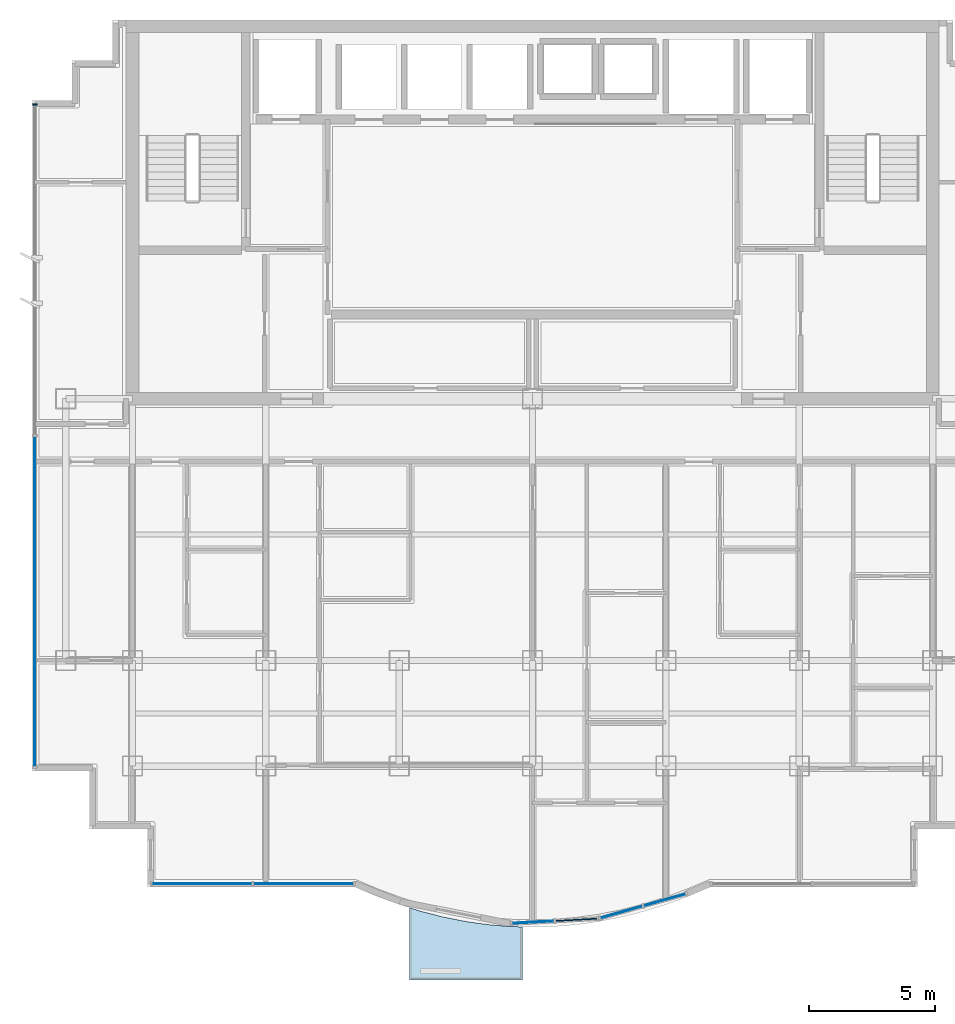
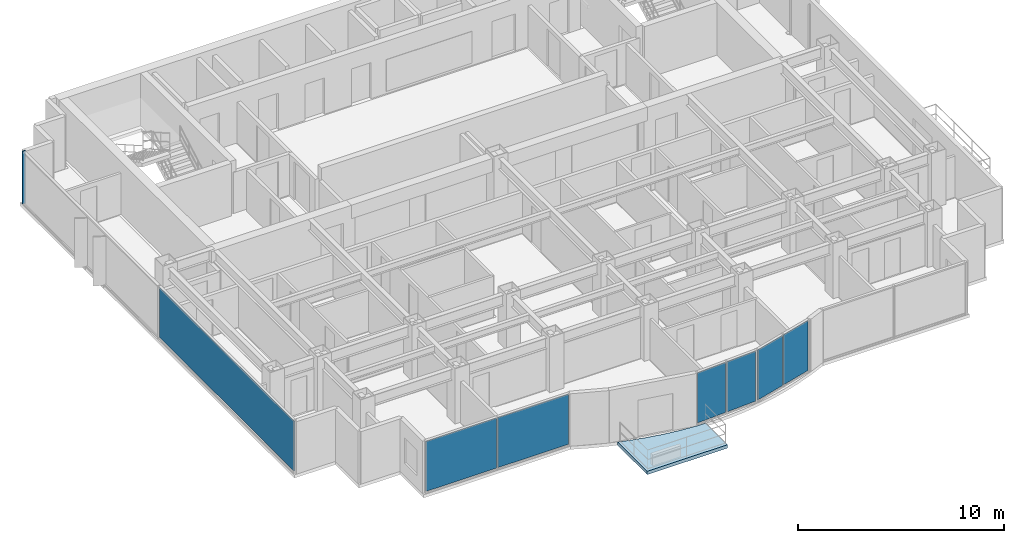
# One storey, part 5 of 11: 7 plates, 1 member, 1 slab, 4 elements without a shape of their own.
"""IFC4 building model written with IfcOpenShell, lengths in metres."""

from ifc_helpers import new_model, si_unit, direction, frame, origin, origin_2d, place, context, subcontext, project, spatial, polyline, rectangle, outline, extrude, source, transform, mapped, material, layer, layer_set, material_profile, profile_set, type_object, element, aggregate, save


model = new_model("IFC4")

# Units and contexts
model_context = context("Model", 3, precision=1e-05, world=origin(), true_north=direction((0.0, 1.0)))
body_context = subcontext(model_context, "Body", "Model", "MODEL_VIEW")
ifc_project = project(units=[si_unit("LENGTHUNIT", "METRE"), si_unit("AREAUNIT", "SQUARE_METRE"), si_unit("VOLUMEUNIT", "CUBIC_METRE"), si_unit("PLANEANGLEUNIT", "RADIAN"), si_unit("MASSUNIT", "GRAM", prefix="KILO")], contexts=[model_context])

# Site, building, storey
site_placement = place(None, origin())
site = spatial("IfcSite", under=ifc_project, at=site_placement, CompositionType="ELEMENT")
building_placement = place(site_placement, origin())
building = spatial("IfcBuilding", under=site, at=building_placement, Name="Qianlan Lanfeng Residences", CompositionType="ELEMENT")
storey_placement = place(building_placement, frame((0.0, 0.0, 206.60009765625)))
storey = spatial("IfcBuildingStorey", under=building, at=storey_placement, Name="L56", CompositionType="ELEMENT", Elevation=206.60009765625)

# Curtain wall, member
ifc_material_1 = material(Name="Anodised Bronze Aluminium 6063-T6", Category="aluminium")
ifc_layer_1 = layer(ifc_material_1, 0.219970703125)
ifc_layer_set_1 = layer_set([ifc_layer_1], Name="Anodised Bronze Aluminium 6063-T6")
curtain_wall_type = type_object("IfcCurtainWallType", Name="CW-05", PredefinedType="NOTDEFINED", material=ifc_layer_set_1)
curtain_wall_1_placement = place(storey_placement, origin())
curtain_wall_1 = element("IfcCurtainWall", 1, at=curtain_wall_1_placement, inside=storey, type_object=curtain_wall_type, Name="L56 Unitised Curtain Wall CWR-L56-05 (CW-05)", PredefinedType="NOTDEFINED")
ifc_material_profile = material_profile(ifc_material_1, rectangle(XDim=0.074951171875, YDim=0.179931640625, at=origin_2d()), Name="ALU MULLION 75x180")
ifc_profile_set = profile_set([ifc_material_profile], Name="Anodised Bronze Aluminium 6063-T6")
member_type = type_object("IfcMemberType", Name="CWM-180", PredefinedType="MULLION", material=ifc_profile_set)
shared_shape_1 = source(origin(), body_context, "Body", "SweptSolid", [
    extrude(rectangle(XDim=0.074951171875, YDim=0.179931640625, at=origin_2d()), origin(), (0.0, 0.0, 1.0), 3.10986328125),
])
member_placement = place(storey_placement, frame((6.719970703125, 36.892578125, 0.0), z_axis=(0.0, 0.0, 1.0), x_axis=(0.0, -1.0, 0.0)))
member = element("IfcMember", 2, at=member_placement, type_object=member_type, Name="CWR-L56-05 Mullion 1", PredefinedType="MULLION", context=body_context, shape_type="MappedRepresentation", body=[
    mapped(shared_shape_1, transform((0.0, 0.0, 0.0), scale=1.0)),
])

# Slab
ifc_material_2 = material(Name="Concrete C42", Category="concrete")
ifc_layer_2 = layer(ifc_material_2, 0.199951171875)
ifc_layer_set_2 = layer_set([ifc_layer_2], Name="Concrete C42")
slab_type = type_object("IfcSlabType", Name="S-BAL-200", PredefinedType="FLOOR", material=ifc_layer_set_2)
slab_placement = place(storey_placement, frame((0.0, 0.0, -0.2001953125)))
element("IfcSlab", 3, at=slab_placement, inside=storey, type_object=slab_type, Name="L56 Planted Tree Balcony Slab SB-C", PredefinedType="FLOOR", context=body_context, shape_type="SweptSolid", body=[
    extrude(outline(polyline([(26.10009765625, 4.2109375), (25.614990234375, 4.22509765625), (24.72998046875, 4.300048828125), (23.844970703125, 4.425048828125), (22.9599609375, 4.60009765625), (22.074951171875, 4.824951171875), (21.60009765625, 4.972900390625), (21.60009765625, 2.10009765625), (26.10009765625, 2.10009765625), (26.10009765625, 4.2109375)])), origin(), (0.0, 0.0, 1.0), 0.2001953125),
])

# Curtain wall, plates
curtain_wall_2_placement = place(storey_placement, origin())
curtain_wall_2 = element("IfcCurtainWall", 4, at=curtain_wall_2_placement, inside=storey, type_object=curtain_wall_type, Name="L56 Unitised Curtain Wall CWR-L56-01 (CW-05)", PredefinedType="NOTDEFINED")
ifc_material_3 = material(Name="Dark Bronze Tinted Insulated Glass", Category="glass")
ifc_layer_3 = layer(ifc_material_3, 0.0380859375)
ifc_layer_set_3 = layer_set([ifc_layer_3], Name="Dark Bronze Tinted Insulated Glass")
plate_type_1 = type_object("IfcPlateType", Name="PNL-GLZ-BRZ", PredefinedType="CURTAIN_PANEL", material=ifc_layer_set_3)
shared_shape_2 = source(origin(), body_context, "Body", "SweptSolid", [
    extrude(rectangle(XDim=3.951416015625, YDim=0.0380859375, at=origin_2d()), origin(), (0.0, 0.0, 1.0), 2.9619140625),
])
plate_1_placement = place(storey_placement, frame((13.36962890625, 5.919921875, 0.073974609375), z_axis=(0.0, 0.0, 1.0), x_axis=(1.0, 0.0, 0.0)))
plate_1 = element("IfcPlate", 5, at=plate_1_placement, type_object=plate_type_1, Name="CWR-L56-01 Curtain Panel 1", PredefinedType="CURTAIN_PANEL", context=body_context, shape_type="MappedRepresentation", body=[
    mapped(shared_shape_2, transform((0.0, 0.0, 0.0), scale=1.0)),
])
plate_2_placement = place(storey_placement, frame((17.394287109375, 5.919921875, 0.073974609375), z_axis=(0.0, 0.0, 1.0), x_axis=(1.0, 0.0, 0.0)))
plate_2 = element("IfcPlate", 6, at=plate_2_placement, type_object=plate_type_1, Name="CWR-L56-01 Curtain Panel 2", PredefinedType="CURTAIN_PANEL", context=body_context, shape_type="MappedRepresentation", body=[
    mapped(shared_shape_2, transform((0.0, 0.0, 0.0), scale=1.0)),
])
aggregate(curtain_wall_2, [plate_1, plate_2])

# Plate
shared_shape_3 = source(origin(), body_context, "Body", "SweptSolid", [
    extrude(rectangle(XDim=13.094482421875, YDim=0.0380859375, at=origin_2d()), origin(), (0.0, 0.0, 1.0), 2.9619140625),
])
plate_3_placement = place(storey_placement, frame((6.719970703125, 17.14111328125, 0.073974609375), z_axis=(0.0, 0.0, 1.0), x_axis=(0.0, -1.0, 0.0)))
plate_3 = element("IfcPlate", 7, at=plate_3_placement, type_object=plate_type_1, Name="CWR-L56-05 Curtain Panel 2", PredefinedType="CURTAIN_PANEL", context=body_context, shape_type="MappedRepresentation", body=[
    mapped(shared_shape_3, transform((0.0, 0.0, 0.0), scale=1.0)),
])

aggregate(curtain_wall_1, [member, plate_3])

# Curtain wall, plate
curtain_wall_3_placement = place(storey_placement, origin())
curtain_wall_3 = element("IfcCurtainWall", 8, at=curtain_wall_3_placement, inside=storey, type_object=curtain_wall_type, Name="L56 Unitised Curtain Wall CWR-L56-02 (CW-05)", PredefinedType="NOTDEFINED")
shared_shape_4 = source(origin(), body_context, "Body", "SweptSolid", [
    extrude(rectangle(XDim=1.648681640625, YDim=0.0380859375, at=origin_2d()), origin(), (0.0, 0.0, 1.0), 2.9619140625),
])
plate_4_placement = place(storey_placement, frame((26.51904296875, 4.3955078125, 0.073974609375), z_axis=(0.0, 0.0, 1.0), x_axis=(0.998415428603, 0.056272834713, 0.0)))
plate_4 = element("IfcPlate", 9, at=plate_4_placement, type_object=plate_type_1, Name="CWR-L56-02 Curtain Panel 1", PredefinedType="CURTAIN_PANEL", context=body_context, shape_type="MappedRepresentation", body=[
    mapped(shared_shape_4, transform((0.0, 0.0, 0.0), scale=1.0)),
])

# Curtain wall, plates
curtain_wall_4_placement = place(storey_placement, origin())
curtain_wall_4 = element("IfcCurtainWall", 10, at=curtain_wall_4_placement, inside=storey, type_object=curtain_wall_type, Name="L56 Unitised Curtain Wall CWR-L56-03 (CW-05)", PredefinedType="NOTDEFINED")
shared_shape_5 = source(origin(), body_context, "Body", "SweptSolid", [
    extrude(rectangle(XDim=1.71630859375, YDim=0.0380859375, at=origin_2d()), origin(), (0.0, 0.0, 1.0), 2.9619140625),
])
plate_5_placement = place(storey_placement, frame((30.031982421875, 4.796630859375, 0.073974609375), z_axis=(0.0, 0.0, 1.0), x_axis=(0.962284495419, 0.272045124705, 0.0)))
plate_5 = element("IfcPlate", 11, at=plate_5_placement, type_object=plate_type_1, Name="CWR-L56-03 Curtain Panel 1", PredefinedType="CURTAIN_PANEL", context=body_context, shape_type="MappedRepresentation", body=[
    mapped(shared_shape_5, transform((0.0, 0.0, 0.0), scale=1.0)),
])
plate_6_placement = place(storey_placement, frame((31.75390625, 5.283447265625, 0.073974609375), z_axis=(0.0, 0.0, 1.0), x_axis=(0.962284495419, 0.272045124705, 0.0)))
plate_6 = element("IfcPlate", 12, at=plate_6_placement, type_object=plate_type_1, Name="CWR-L56-03 Curtain Panel 2", PredefinedType="CURTAIN_PANEL", context=body_context, shape_type="MappedRepresentation", body=[
    mapped(shared_shape_5, transform((0.0, 0.0, 0.0), scale=1.0)),
])
aggregate(curtain_wall_4, [plate_5, plate_6])

# Plate
ifc_material_4 = material(Name="Perforated Champagne Gold Aluminium Panel", Category="aluminium")
ifc_layer_4 = layer(ifc_material_4, 0.0400390625)
ifc_layer_set_4 = layer_set([ifc_layer_4], Name="Perforated Champagne Gold Aluminium Panel")
plate_type_2 = type_object("IfcPlateType", Name="PNL-PRF-GLD", PredefinedType="CURTAIN_PANEL", material=ifc_layer_set_4)
shared_shape_6 = source(origin(), body_context, "Body", "SweptSolid", [
    extrude(rectangle(XDim=1.648681640625, YDim=0.0400390625, at=origin_2d()), origin(), (0.0, 0.0, 1.0), 2.9619140625),
])
plate_7_placement = place(storey_placement, frame((28.238037109375, 4.492431640625, 0.073974609375), z_axis=(0.0, 0.0, 1.0), x_axis=(0.998415428603, 0.056272834713, 0.0)))
plate_7 = element("IfcPlate", 13, at=plate_7_placement, type_object=plate_type_2, Name="CWR-L56-02 Curtain Panel 2", PredefinedType="CURTAIN_PANEL", context=body_context, shape_type="MappedRepresentation", body=[
    mapped(shared_shape_6, transform((0.0, 0.0, 0.0), scale=1.0)),
])

aggregate(curtain_wall_3, [plate_4, plate_7])

save(model, "model.ifc")
